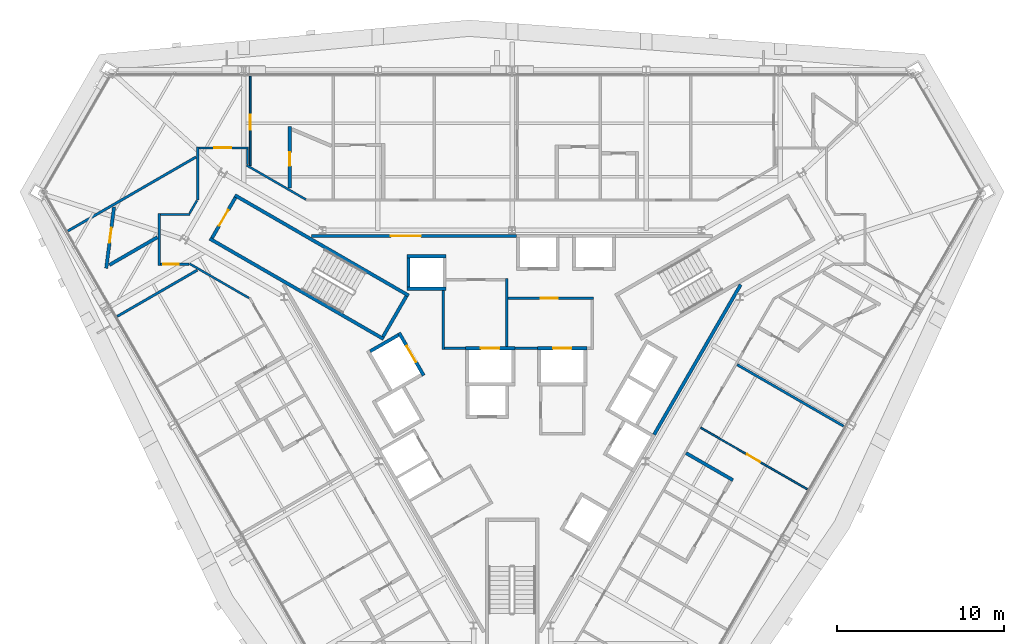
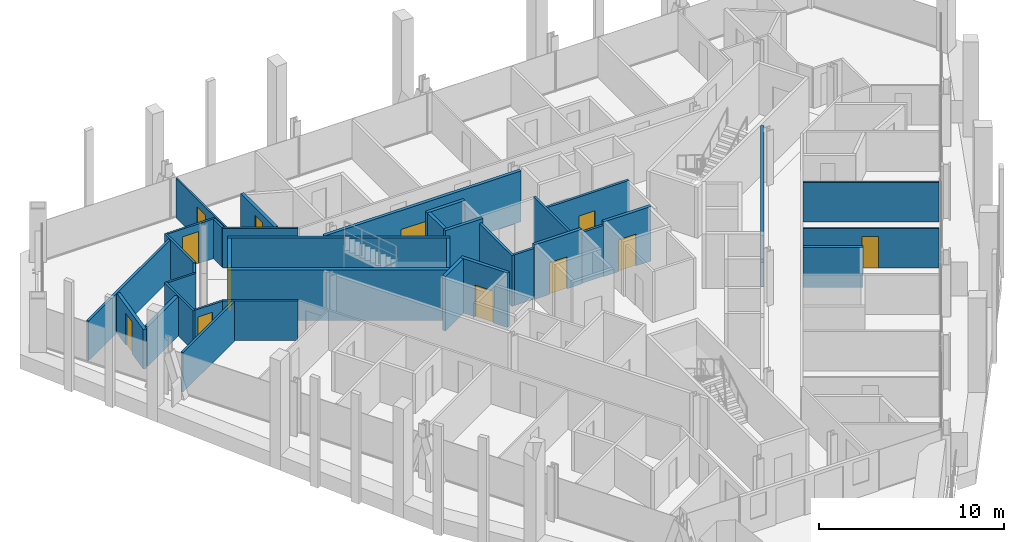
# One storey, part 12 of 16: 36 walls, 12 doors, 12 openings.
"""IFC4 building model written with IfcOpenShell, lengths in metres."""

from ifc_helpers import new_model, si_unit, direction, frame, frame_2d, origin, place, context, subcontext, project, spatial, rectangle, extrude, material, layer, layer_set, type_object, element, fill, save


model = new_model("IFC4")

# Units and contexts
model_context = context("Model", 3, precision=1e-05, world=origin(), true_north=direction((0.0, 1.0)))
body_context = subcontext(model_context, "Body", "Model", "MODEL_VIEW")
ifc_project = project(units=[si_unit("LENGTHUNIT", "METRE"), si_unit("AREAUNIT", "SQUARE_METRE"), si_unit("VOLUMEUNIT", "CUBIC_METRE"), si_unit("PLANEANGLEUNIT", "RADIAN"), si_unit("MASSUNIT", "GRAM", prefix="KILO")], contexts=[model_context])

# Site, building, storey
site_placement = place(None, origin())
site = spatial("IfcSite", under=ifc_project, at=site_placement, CompositionType="ELEMENT")
building_placement = place(site_placement, origin())
building = spatial("IfcBuilding", under=site, at=building_placement, Name="Verrane Prism Tower", CompositionType="ELEMENT")
storey_placement = place(building_placement, frame((0.0, 0.0, 114.39990234375)))
storey = spatial("IfcBuildingStorey", under=building, at=storey_placement, Name="L27", CompositionType="ELEMENT", Elevation=114.39990234375)

# Wall, opening, door
ifc_material_1 = material(Name="Gypsum board partition", Category="other")
ifc_layer_1 = layer(ifc_material_1, 0.199951171875)
ifc_layer_set_1 = layer_set([ifc_layer_1], Name="CW-200 core boundary wall 2 h")
wall_type_1 = type_object("IfcWallType", Name="CW-200 core boundary wall 2 h", PredefinedType="PARTITIONING", material=ifc_layer_set_1)
wall_1_placement = place(storey_placement, frame((0.262939453125, 8.860107421875, 0.0), z_axis=(0.0, 0.0, 1.0), x_axis=(-1.0, 0.0, 0.0)))
wall_1 = element("IfcWall", 1, at=wall_1_placement, inside=storey, type_object=wall_type_1, Name="Core boundary wall CW3-002", PredefinedType="PARTITIONING", context=body_context, shape_type="SweptSolid", body=[
    extrude(rectangle(XDim=12.25390625, YDim=0.199951171875, at=frame_2d((6.126953125, 0.0))), origin(), (0.0, 0.0, 1.0), 3.35009765625),
])
opening_1_placement = place(wall_1_placement, frame((5.708984375, 0.0, 0.0)))
opening_1 = element("IfcOpeningElement", 2, at=opening_1_placement, cuts=wall_1, Name="Opening D27511", PredefinedType="OPENING", context=body_context, shape_type="SweptSolid", body=[
    extrude(rectangle(XDim=1.800048828125, YDim=2.10009765625, at=frame_2d((0.89990234375, 1.050048828125))), frame((0.0, 0.10986328125, 0.0), z_axis=(0.0, -1.0, 0.0), x_axis=(1.0, 0.0, 0.0)), (0.0, 0.0, 1.0), 0.219970703125),
])
ifc_material_2 = material(Name="Timber veneered door leaf", Category="wood")
door_type_1 = type_object("IfcDoorType", Name="DR-1800x2100 FD60 double leaf lift lobby", OperationType="NOTDEFINED", PredefinedType="DOOR", material=ifc_material_2)
door_1_placement = place(opening_1_placement, origin())
door_1 = element("IfcDoor", 3, at=door_1_placement, inside=storey, type_object=door_type_1, Name="Lift lobby door D27511", OperationType="DOUBLE_DOOR_SINGLE_SWING", OverallHeight=2.10009765625, OverallWidth=1.800048828125, PredefinedType="DOOR", context=body_context, shape_type="SweptSolid", body=[
    extrude(rectangle(XDim=1.800048828125, YDim=2.10009765625, at=frame_2d((0.89990234375, 1.050048828125))), frame((0.0, 0.02490234375, 0.0), z_axis=(0.0, -1.0, 0.0), x_axis=(1.0, 0.0, 0.0)), (0.0, 0.0, 1.0), 0.050048828125),
])
fill(opening_1, door_1)

# Wall
wall_2_placement = place(storey_placement, frame((8.491943359375, -3.011962890625, 0.0), z_axis=(0.0, 0.0, 1.0), x_axis=(0.499972957231, 0.866041016371, 0.0)))
element("IfcWall", 4, at=wall_2_placement, inside=storey, type_object=wall_type_1, Name="Core boundary wall CW3-007", PredefinedType="PARTITIONING", context=body_context, shape_type="SweptSolid", body=[
    extrude(rectangle(XDim=10.3486328125, YDim=0.199951171875, at=frame_2d((5.17431640625, 0.0))), origin(), (0.0, 0.0, 1.0), 3.35009765625),
])

# Wall, opening, door
ifc_material_3 = material(Name="Concrete C40/50", Category="concrete")
ifc_layer_2 = layer(ifc_material_3, 0.199951171875)
ifc_layer_set_2 = layer_set([ifc_layer_2], Name="CW-200 stair core wall concrete C40/50 3 h")
wall_type_2 = type_object("IfcWallType", Name="CW-200 stair core wall concrete C40/50 3 h", PredefinedType="PARTITIONING", material=ifc_layer_set_2)
wall_3_placement = place(storey_placement, frame((-16.533935546875, 11.162353515625, 0.0), z_axis=(0.0, 0.0, 1.0), x_axis=(-0.49998411664, -0.866034573852, 0.0)))
wall_3 = element("IfcWall", 5, at=wall_3_placement, inside=storey, type_object=wall_type_2, Name="Stair 2 enclosure wall", PredefinedType="PARTITIONING", context=body_context, shape_type="SweptSolid", body=[
    extrude(rectangle(XDim=2.7998046875, YDim=0.199951171875, at=frame_2d((1.39990234375, 0.0))), origin(), (0.0, 0.0, 1.0), 3.35009765625),
])
opening_2_placement = place(wall_3_placement, frame((0.849853515625, 0.0, 0.0)))
opening_2 = element("IfcOpeningElement", 6, at=opening_2_placement, cuts=wall_3, Name="Opening D27501", PredefinedType="OPENING", context=body_context, shape_type="SweptSolid", body=[
    extrude(rectangle(XDim=1.10009765625, YDim=2.10009765625, at=frame_2d((0.550048828125, 1.050048828125))), frame((0.0, 0.10986328125, 0.0), z_axis=(0.0, -1.0, 0.0), x_axis=(1.0, 0.0, 0.0)), (0.0, 0.0, 1.0), 0.219970703125),
])
ifc_material_4 = material(Name="Timber veneered door leaf", Category="wood")
door_type_2 = type_object("IfcDoorType", Name="DR-1100x2100 FD90 single leaf stair", OperationType="NOTDEFINED", PredefinedType="DOOR", material=ifc_material_4)
door_2_placement = place(opening_2_placement, origin())
door_2 = element("IfcDoor", 7, at=door_2_placement, inside=storey, type_object=door_type_2, Name="Stair 2 door", OperationType="SINGLE_SWING_RIGHT", OverallHeight=2.10009765625, OverallWidth=1.10009765625, PredefinedType="DOOR", context=body_context, shape_type="SweptSolid", body=[
    extrude(rectangle(XDim=1.10009765625, YDim=2.10009765625, at=frame_2d((0.550048828125, 1.050048828125))), frame((0.0, 0.02490234375, 0.0), z_axis=(0.0, -1.0, 0.0), x_axis=(1.0, 0.0, 0.0)), (0.0, 0.0, 1.0), 0.050048828125),
])
fill(opening_2, door_2)

# Walls
for number, where, z_axis, x_axis, name in (
    (8, (-7.67822265625, 2.700927734375, 0.0), (0.0, 0.0, 1.0), (-0.866026010844, 0.49999894854, 0.0), "Stair 2 enclosure wall"),
    (9, (-6.17822265625, 5.299072265625, 0.0), (0.0, 0.0, 1.0), (-0.866026010844, 0.49999894854, 0.0), "Stair 2 enclosure wall"),
):
    element("IfcWall", number, at=place(storey_placement, frame(where, z_axis=z_axis, x_axis=x_axis)), inside=storey, type_object=wall_type_2, Name=name, PredefinedType="PARTITIONING", context=body_context, shape_type="SweptSolid", body=[
        extrude(rectangle(XDim=12.0, YDim=0.199951171875, at=frame_2d((6.0, 0.0))), origin(), (0.0, 0.0, 1.0), 3.35009765625),
    ])
wall_4_placement = place(storey_placement, frame((-6.314697265625, 5.262451171875, 0.0), z_axis=(0.0, 0.0, 1.0), x_axis=(-0.500049511043, -0.865996816683, 0.0)))
element("IfcWall", 10, at=wall_4_placement, inside=storey, type_object=wall_type_2, Name="Stair 2 enclosure wall", PredefinedType="PARTITIONING", context=body_context, shape_type="SweptSolid", body=[
    extrude(rectangle(XDim=2.800048828125, YDim=0.199951171875, at=frame_2d((1.39990234375, 0.0))), origin(), (0.0, 0.0, 1.0), 3.35009765625),
])

# Wall, opening, door
ifc_material_5 = material(Name="Gypsum board shaft wall assembly", Category="other")
ifc_layer_3 = layer(ifc_material_5, 0.199951171875)
ifc_layer_set_3 = layer_set([ifc_layer_3], Name="HW-200 lift shaft wall 2 h")
wall_type_3 = type_object("IfcWallType", Name="HW-200 lift shaft wall 2 h", PredefinedType="PARTITIONING", material=ifc_layer_set_3)
wall_5_placement = place(storey_placement, frame((-2.784912109375, 2.14990234375, 0.0), z_axis=(0.0, 0.0, 1.0), x_axis=(1.0, 0.0, 0.0)))
wall_5 = element("IfcWall", 11, at=wall_5_placement, inside=storey, type_object=wall_type_3, Name="Lift shaft wall", PredefinedType="PARTITIONING", context=body_context, shape_type="SweptSolid", body=[
    extrude(rectangle(XDim=2.949951171875, YDim=0.199951171875, at=frame_2d((1.47509765625, 0.0))), origin(), (0.0, 0.0, 1.0), 3.60009765625),
])
opening_3_placement = place(wall_5_placement, frame((0.925048828125, 0.0, 0.0)))
opening_3 = element("IfcOpeningElement", 12, at=opening_3_placement, cuts=wall_5, Name="Opening D27508", PredefinedType="OPENING", context=body_context, shape_type="SweptSolid", body=[
    extrude(rectangle(XDim=1.10009765625, YDim=2.10009765625, at=frame_2d((0.550048828125, 1.050048828125))), frame((0.0, 0.10986328125, 0.0), z_axis=(0.0, -1.0, 0.0), x_axis=(1.0, 0.0, 0.0)), (0.0, 0.0, 1.0), 0.219970703125),
])
ifc_material_6 = material(Name="Stainless steel sliding landing door", Category="steel")
door_type_3 = type_object("IfcDoorType", Name="LD-1100x2100 lift landing door FD90 sliding", OperationType="NOTDEFINED", PredefinedType="DOOR", material=ifc_material_6)
door_3_placement = place(opening_3_placement, origin())
door_3 = element("IfcDoor", 13, at=door_3_placement, inside=storey, type_object=door_type_3, Name="Fire service lift 1 landing door", OperationType="SLIDING_TO_LEFT", OverallHeight=2.10009765625, OverallWidth=1.10009765625, PredefinedType="DOOR", context=body_context, shape_type="SweptSolid", body=[
    extrude(rectangle(XDim=1.10009765625, YDim=2.10009765625, at=frame_2d((0.550048828125, 1.050048828125))), frame((0.0, 0.02490234375, 0.0), z_axis=(0.0, -1.0, 0.0), x_axis=(1.0, 0.0, 0.0)), (0.0, 0.0, 1.0), 0.050048828125),
])
fill(opening_3, door_3)

wall_6_placement = place(storey_placement, frame((1.52490234375, 2.14990234375, 0.0), z_axis=(0.0, 0.0, 1.0), x_axis=(1.0, 0.0, 0.0)))
wall_6 = element("IfcWall", 14, at=wall_6_placement, inside=storey, type_object=wall_type_3, Name="Lift shaft wall", PredefinedType="PARTITIONING", context=body_context, shape_type="SweptSolid", body=[
    extrude(rectangle(XDim=2.9501953125, YDim=0.199951171875, at=frame_2d((1.47509765625, 0.0))), origin(), (0.0, 0.0, 1.0), 3.60009765625),
])
opening_4_placement = place(wall_6_placement, frame((0.925048828125, 0.0, 0.0)))
opening_4 = element("IfcOpeningElement", 15, at=opening_4_placement, cuts=wall_6, Name="Opening D27509", PredefinedType="OPENING", context=body_context, shape_type="SweptSolid", body=[
    extrude(rectangle(XDim=1.10009765625, YDim=2.10009765625, at=frame_2d((0.550048828125, 1.050048828125))), frame((0.0, 0.10986328125, 0.0), z_axis=(0.0, -1.0, 0.0), x_axis=(1.0, 0.0, 0.0)), (0.0, 0.0, 1.0), 0.219970703125),
])
door_4_placement = place(opening_4_placement, origin())
door_4 = element("IfcDoor", 16, at=door_4_placement, inside=storey, type_object=door_type_3, Name="Fire service lift 2 landing door", OperationType="SLIDING_TO_RIGHT", OverallHeight=2.10009765625, OverallWidth=1.10009765625, PredefinedType="DOOR", context=body_context, shape_type="SweptSolid", body=[
    extrude(rectangle(XDim=1.10009765625, YDim=2.10009765625, at=frame_2d((0.550048828125, 1.050048828125))), frame((0.0, 0.02490234375, 0.0), z_axis=(0.0, -1.0, 0.0), x_axis=(1.0, 0.0, 0.0)), (0.0, 0.0, 1.0), 0.050048828125),
])
fill(opening_4, door_4)

# Walls
for number, where, z_axis, x_axis, name in (
    (17, (-6.284912109375, 5.7099609375, 0.0), (0.0, 0.0, 1.0), (1.0, 0.0, 0.0), "Lift shaft wall"),
    (18, (-6.284912109375, 7.659912109375, 0.0), (0.0, 0.0, 1.0), (1.0, 0.0, 0.0), "Lift shaft wall"),
):
    element("IfcWall", number, at=place(storey_placement, frame(where, z_axis=z_axis, x_axis=x_axis)), inside=storey, type_object=wall_type_3, Name=name, PredefinedType="PARTITIONING", context=body_context, shape_type="SweptSolid", body=[
        extrude(rectangle(XDim=2.349853515625, YDim=0.199951171875, at=frame_2d((1.1748046875, 0.0))), origin(), (0.0, 0.0, 1.0), 3.60009765625),
    ])
wall_7_placement = place(storey_placement, frame((-8.48046875, 1.968505859375, 0.0), z_axis=(0.0, 0.0, 1.0), x_axis=(0.866000020948, 0.500043961785, 0.0)))
element("IfcWall", 19, at=wall_7_placement, inside=storey, type_object=wall_type_3, Name="Lift shaft wall", PredefinedType="PARTITIONING", context=body_context, shape_type="SweptSolid", body=[
    extrude(rectangle(XDim=1.949951171875, YDim=0.199951171875, at=frame_2d((0.97509765625, 0.0))), origin(), (0.0, 0.0, 1.0), 3.60009765625),
])
wall_8_placement = place(storey_placement, frame((-6.18505859375, 5.81005859375, 0.0), z_axis=(0.0, 0.0, 1.0), x_axis=(0.0, 1.0, 0.0)))
element("IfcWall", 20, at=wall_8_placement, inside=storey, type_object=wall_type_3, Name="Lift shaft wall", PredefinedType="PARTITIONING", context=body_context, shape_type="SweptSolid", body=[
    extrude(rectangle(XDim=1.75, YDim=0.199951171875, at=frame_2d((0.875, 0.0))), origin(), (0.0, 0.0, 1.0), 3.60009765625),
])

# Wall, opening, door
wall_9_placement = place(storey_placement, frame((-5.280029296875, 0.525390625, 0.0), z_axis=(0.0, 0.0, 1.0), x_axis=(-0.500037662692, 0.866003658127, 0.0)))
wall_9 = element("IfcWall", 21, at=wall_9_placement, inside=storey, type_object=wall_type_3, Name="Lift shaft wall", PredefinedType="PARTITIONING", context=body_context, shape_type="SweptSolid", body=[
    extrude(rectangle(XDim=2.949951171875, YDim=0.199951171875, at=frame_2d((1.47509765625, 0.0))), origin(), (0.0, 0.0, 1.0), 3.60009765625),
])
opening_5_placement = place(wall_9_placement, frame((0.925048828125, 0.0, 0.0)))
opening_5 = element("IfcOpeningElement", 22, at=opening_5_placement, cuts=wall_9, Name="Opening D27510", PredefinedType="OPENING", context=body_context, shape_type="SweptSolid", body=[
    extrude(rectangle(XDim=1.10009765625, YDim=2.10009765625, at=frame_2d((0.550048828125, 1.050048828125))), frame((0.0, 0.10986328125, 0.0), z_axis=(0.0, -1.0, 0.0), x_axis=(1.0, 0.0, 0.0)), (0.0, 0.0, 1.0), 0.219970703125),
])
door_5_placement = place(opening_5_placement, origin())
door_5 = element("IfcDoor", 23, at=door_5_placement, inside=storey, type_object=door_type_3, Name="Service lift 1 landing door", OperationType="SLIDING_TO_LEFT", OverallHeight=2.10009765625, OverallWidth=1.10009765625, PredefinedType="DOOR", context=body_context, shape_type="SweptSolid", body=[
    extrude(rectangle(XDim=1.10009765625, YDim=2.10009765625, at=frame_2d((0.550048828125, 1.050048828125))), frame((0.0, 0.02490234375, 0.0), z_axis=(0.0, -1.0, 0.0), x_axis=(1.0, 0.0, 0.0)), (0.0, 0.0, 1.0), 0.050048828125),
])
fill(opening_5, door_5)

# Walls
ifc_material_7 = material(Name="Gypsum board partition", Category="other")
ifc_layer_4 = layer(ifc_material_7, 0.14990234375)
ifc_layer_set_4 = layer_set([ifc_layer_4], Name="LF-150 firefighting lobby wall 1 h")
wall_type_4 = type_object("IfcWallType", Name="LF-150 firefighting lobby wall 1 h", PredefinedType="PARTITIONING", material=ifc_layer_set_4)
wall_10_placement = place(storey_placement, frame((-4.10009765625, 2.0849609375, 0.0), z_axis=(0.0, 0.0, 1.0), x_axis=(0.0, 1.0, 0.0)))
element("IfcWall", 24, at=wall_10_placement, inside=storey, type_object=wall_type_4, Name="Firefighting lobby wall LF1-001", PredefinedType="PARTITIONING", context=body_context, shape_type="SweptSolid", body=[
    extrude(rectangle(XDim=3.52294921875, YDim=0.14990234375, at=frame_2d((1.761474609375, 0.0))), origin(), (0.0, 0.0, 1.0), 3.35009765625),
])
wall_11_placement = place(storey_placement, frame((-4.02490234375, 2.159912109375, 0.0), z_axis=(0.0, 0.0, 1.0), x_axis=(1.0, 0.0, 0.0)))
element("IfcWall", 25, at=wall_11_placement, inside=storey, type_object=wall_type_4, Name="Firefighting lobby wall LF1-002", PredefinedType="PARTITIONING", context=body_context, shape_type="SweptSolid", body=[
    extrude(rectangle(XDim=1.23779296875, YDim=0.14990234375, at=frame_2d((0.618896484375, 0.0))), origin(), (0.0, 0.0, 1.0), 3.35009765625),
])
wall_12_placement = place(storey_placement, frame((-0.320068359375, 2.251953125, 0.0), z_axis=(0.0, 0.0, 1.0), x_axis=(0.0, 1.0, 0.0)))
element("IfcWall", 26, at=wall_12_placement, inside=storey, type_object=wall_type_4, Name="Firefighting lobby wall LF1-004", PredefinedType="PARTITIONING", context=body_context, shape_type="SweptSolid", body=[
    extrude(rectangle(XDim=4.06298828125, YDim=0.14990234375, at=frame_2d((2.031494140625, 0.0))), origin(), (0.0, 0.0, 1.0), 3.35009765625),
])

# Wall, opening, door
wall_13_placement = place(storey_placement, frame((-0.2451171875, 5.139892578125, 0.0), z_axis=(0.0, 0.0, 1.0), x_axis=(1.0, 0.0, 0.0)))
wall_13 = element("IfcWall", 27, at=wall_13_placement, inside=storey, type_object=wall_type_4, Name="Firefighting lobby wall LF1-005", PredefinedType="PARTITIONING", context=body_context, shape_type="SweptSolid", body=[
    extrude(rectangle(XDim=5.110107421875, YDim=0.14990234375, at=frame_2d((2.55517578125, 0.0))), origin(), (0.0, 0.0, 1.0), 3.35009765625),
])
opening_6_placement = place(wall_13_placement, frame((1.97509765625, 0.0, 0.0)))
opening_6 = element("IfcOpeningElement", 28, at=opening_6_placement, cuts=wall_13, Name="Opening D27516", PredefinedType="OPENING", context=body_context, shape_type="SweptSolid", body=[
    extrude(rectangle(XDim=1.0, YDim=2.10009765625, at=frame_2d((0.5, 1.050048828125))), frame((0.0, 0.0849609375, 0.0), z_axis=(0.0, -1.0, 0.0), x_axis=(1.0, 0.0, 0.0)), (0.0, 0.0, 1.0), 0.169921875),
])
ifc_material_8 = material(Name="Timber veneered door leaf", Category="wood")
door_type_4 = type_object("IfcDoorType", Name="DR-1000x2100 FD60 single leaf firefighting lobby", OperationType="NOTDEFINED", PredefinedType="DOOR", material=ifc_material_8)
door_6_placement = place(opening_6_placement, origin())
door_6 = element("IfcDoor", 29, at=door_6_placement, inside=storey, type_object=door_type_4, Name="Firefighting lobby door D27516", OperationType="SINGLE_SWING_RIGHT", OverallHeight=2.10009765625, OverallWidth=1.0, PredefinedType="DOOR", context=body_context, shape_type="SweptSolid", body=[
    extrude(rectangle(XDim=1.0, YDim=2.10009765625, at=frame_2d((0.5, 1.050048828125))), frame((0.0, 0.02490234375, 0.0), z_axis=(0.0, -1.0, 0.0), x_axis=(1.0, 0.0, 0.0)), (0.0, 0.0, 1.0), 0.050048828125),
])
fill(opening_6, door_6)

# Wall
wall_14_placement = place(storey_placement, frame((0.1669921875, 2.159912109375, 0.0), z_axis=(0.0, 0.0, 1.0), x_axis=(1.0, 0.0, 0.0)))
element("IfcWall", 30, at=wall_14_placement, inside=storey, type_object=wall_type_4, Name="Firefighting lobby wall LF1-006", PredefinedType="PARTITIONING", context=body_context, shape_type="SweptSolid", body=[
    extrude(rectangle(XDim=1.35595703125, YDim=0.14990234375, at=frame_2d((0.677978515625, 0.0))), origin(), (0.0, 0.0, 1.0), 3.35009765625),
])

# Wall, opening, door
ifc_material_9 = material(Name="Gypsum board partition", Category="other")
ifc_layer_5 = layer(ifc_material_9, 0.10009765625)
ifc_layer_set_5 = layer_set([ifc_layer_5], Name="PW-100 room partition")
wall_type_5 = type_object("IfcWallType", Name="PW-100 room partition", PredefinedType="PARTITIONING", material=ifc_layer_set_5)
wall_15_placement = place(storey_placement, frame((-15.65087890625, 18.4150390625, 0.0), z_axis=(0.0, 0.0, 1.0), x_axis=(0.0, -1.0, 0.0)))
wall_15 = element("IfcWall", 31, at=wall_15_placement, inside=storey, type_object=wall_type_5, Name="Room partition 020", PredefinedType="PARTITIONING", context=body_context, shape_type="SweptSolid", body=[
    extrude(rectangle(XDim=5.35205078125, YDim=0.10009765625, at=frame_2d((2.676025390625, 0.0))), origin(), (0.0, 0.0, 1.0), 2.613037109375),
])
opening_7_placement = place(wall_15_placement, frame((2.302978515625, 0.0, 0.0)))
opening_7 = element("IfcOpeningElement", 32, at=opening_7_placement, cuts=wall_15, Name="Opening D27012", PredefinedType="OPENING", context=body_context, shape_type="SweptSolid", body=[
    extrude(rectangle(XDim=0.89990234375, YDim=2.10009765625, at=frame_2d((0.449951171875, 1.050048828125))), frame((0.0, 0.06005859375, 0.0), z_axis=(0.0, -1.0, 0.0), x_axis=(1.0, 0.0, 0.0)), (0.0, 0.0, 1.0), 0.1201171875),
])
ifc_material_10 = material(Name="Timber veneered door leaf", Category="wood")
door_type_5 = type_object("IfcDoorType", Name="DR-900x2100 single leaf inner", OperationType="NOTDEFINED", PredefinedType="DOOR", material=ifc_material_10)
door_7_placement = place(opening_7_placement, origin())
door_7 = element("IfcDoor", 33, at=door_7_placement, inside=storey, type_object=door_type_5, Name="Suite Living Room door", OperationType="SINGLE_SWING_LEFT", OverallHeight=2.10009765625, OverallWidth=0.89990234375, PredefinedType="DOOR", context=body_context, shape_type="SweptSolid", body=[
    extrude(rectangle(XDim=0.89990234375, YDim=2.10009765625, at=frame_2d((0.449951171875, 1.050048828125))), frame((0.0, 0.02490234375, 0.0), z_axis=(0.0, -1.0, 0.0), x_axis=(1.0, 0.0, 0.0)), (0.0, 0.0, 1.0), 0.050048828125),
])
fill(opening_7, door_7)

wall_16_placement = place(storey_placement, frame((17.6416015625, -6.27392578125, 0.0), z_axis=(0.0, 0.0, 1.0), x_axis=(-0.866003534372, 0.50003787702, 0.0)))
wall_16 = element("IfcWall", 34, at=wall_16_placement, inside=storey, type_object=wall_type_5, Name="Room partition 056", PredefinedType="PARTITIONING", context=body_context, shape_type="SweptSolid", body=[
    extrude(rectangle(XDim=7.34765625, YDim=0.10009765625, at=frame_2d((3.673828125, 0.0))), origin(), (0.0, 0.0, 1.0), 2.613037109375),
])
opening_8_placement = place(wall_16_placement, frame((3.26513671875, 0.0, 0.0)))
opening_8 = element("IfcOpeningElement", 35, at=opening_8_placement, cuts=wall_16, Name="Opening D27033", PredefinedType="OPENING", context=body_context, shape_type="SweptSolid", body=[
    extrude(rectangle(XDim=0.89990234375, YDim=2.10009765625, at=frame_2d((0.449951171875, 1.050048828125))), frame((0.0, 0.06005859375, 0.0), z_axis=(0.0, -1.0, 0.0), x_axis=(1.0, 0.0, 0.0)), (0.0, 0.0, 1.0), 0.1201171875),
])
door_8_placement = place(opening_8_placement, origin())
door_8 = element("IfcDoor", 36, at=door_8_placement, inside=storey, type_object=door_type_5, Name="Suite Living Room door", OperationType="SINGLE_SWING_RIGHT", OverallHeight=2.10009765625, OverallWidth=0.89990234375, PredefinedType="DOOR", context=body_context, shape_type="SweptSolid", body=[
    extrude(rectangle(XDim=0.89990234375, YDim=2.10009765625, at=frame_2d((0.449951171875, 1.050048828125))), frame((0.0, 0.02490234375, 0.0), z_axis=(0.0, -1.0, 0.0), x_axis=(1.0, 0.0, 0.0)), (0.0, 0.0, 1.0), 0.050048828125),
])
fill(opening_8, door_8)

# Wall
ifc_material_11 = material(Name="Gypsum board partition", Category="other")
ifc_layer_6 = layer(ifc_material_11, 0.125)
ifc_layer_set_6 = layer_set([ifc_layer_6], Name="PW-125 corridor wall 1 h")
wall_type_6 = type_object("IfcWallType", Name="PW-125 corridor wall 1 h", PredefinedType="PARTITIONING", material=ifc_layer_set_6)
wall_17_placement = place(storey_placement, frame((-21.0869140625, 7.110595703125, 0.0), z_axis=(0.0, 0.0, 1.0), x_axis=(0.0, 1.0, 0.0)))
element("IfcWall", 37, at=wall_17_placement, inside=storey, type_object=wall_type_6, Name="Corridor wall 006", PredefinedType="PARTITIONING", context=body_context, shape_type="SweptSolid", body=[
    extrude(rectangle(XDim=3.098876953125, YDim=0.125, at=frame_2d((1.54931640625, 0.0))), origin(), (0.0, 0.0, 1.0), 2.613037109375),
])

# Wall, opening, door
wall_18_placement = place(storey_placement, frame((-19.30908203125, 7.173095703125, 0.0), z_axis=(0.0, 0.0, 1.0), x_axis=(-1.0, 0.0, 0.0)))
wall_18 = element("IfcWall", 38, at=wall_18_placement, inside=storey, type_object=wall_type_6, Name="Corridor wall 007", PredefinedType="PARTITIONING", context=body_context, shape_type="SweptSolid", body=[
    extrude(rectangle(XDim=1.712890625, YDim=0.125, at=frame_2d((0.8564453125, 0.0))), origin(), (0.0, 0.0, 1.0), 2.613037109375),
])
opening_9_placement = place(wall_18_placement, frame((0.6279296875, 0.0, 0.0)))
opening_9 = element("IfcOpeningElement", 39, at=opening_9_placement, cuts=wall_18, Name="Opening D27014", PredefinedType="OPENING", context=body_context, shape_type="SweptSolid", body=[
    extrude(rectangle(XDim=0.89990234375, YDim=2.10009765625, at=frame_2d((0.449951171875, 1.050048828125))), frame((0.0, 0.072509765625, 0.0), z_axis=(0.0, -1.0, 0.0), x_axis=(1.0, 0.0, 0.0)), (0.0, 0.0, 1.0), 0.14501953125),
])
ifc_material_12 = material(Name="Timber veneered door leaf", Category="wood")
door_type_6 = type_object("IfcDoorType", Name="DR-900x2100 FD20 single leaf unit", OperationType="NOTDEFINED", PredefinedType="DOOR", material=ifc_material_12)
door_9_placement = place(opening_9_placement, origin())
door_9 = element("IfcDoor", 40, at=door_9_placement, inside=storey, type_object=door_type_6, Name="Accessible Guest Room door", OperationType="SINGLE_SWING_RIGHT", OverallHeight=2.10009765625, OverallWidth=0.89990234375, PredefinedType="DOOR", context=body_context, shape_type="SweptSolid", body=[
    extrude(rectangle(XDim=0.89990234375, YDim=2.10009765625, at=frame_2d((0.449951171875, 1.050048828125))), frame((0.0, 0.02490234375, 0.0), z_axis=(0.0, -1.0, 0.0), x_axis=(1.0, 0.0, 0.0)), (0.0, 0.0, 1.0), 0.050048828125),
])
fill(opening_9, door_9)

# Walls
wall_19_placement = place(storey_placement, frame((-21.02197265625, 10.14697265625, 0.0), z_axis=(0.0, 0.0, 1.0), x_axis=(1.0, 0.0, 0.0)))
element("IfcWall", 41, at=wall_19_placement, inside=storey, type_object=wall_type_6, Name="Corridor wall 008", PredefinedType="PARTITIONING", context=body_context, shape_type="SweptSolid", body=[
    extrude(rectangle(XDim=1.7705078125, YDim=0.125, at=frame_2d((0.88525390625, 0.0))), origin(), (0.0, 0.0, 1.0), 2.613037109375),
])
wall_20_placement = place(storey_placement, frame((-19.271484375, 10.220703125, 0.0), z_axis=(0.0, 0.0, 1.0), x_axis=(0.499881837328, 0.866093614288, 0.0)))
element("IfcWall", 42, at=wall_20_placement, inside=storey, type_object=wall_type_6, Name="Corridor wall 009", PredefinedType="PARTITIONING", context=body_context, shape_type="SweptSolid", body=[
    extrude(rectangle(XDim=0.884033203125, YDim=0.125, at=frame_2d((0.44189453125, 0.0))), origin(), (0.0, 0.0, 1.0), 2.613037109375),
])
wall_21_placement = place(storey_placement, frame((-19.278076171875, 7.204345703125, 0.0), z_axis=(0.0, 0.0, 1.0), x_axis=(0.865992261418, -0.50005739987, 0.0)))
element("IfcWall", 43, at=wall_21_placement, inside=storey, type_object=wall_type_6, Name="Corridor wall 010", PredefinedType="PARTITIONING", context=body_context, shape_type="SweptSolid", body=[
    extrude(rectangle(XDim=4.10107421875, YDim=0.125, at=frame_2d((2.050537109375, 0.0))), origin(), (0.0, 0.0, 1.0), 2.613037109375),
])
wall_22_placement = place(storey_placement, frame((-18.787109375, 10.99755859375, 0.0), z_axis=(0.0, 0.0, 1.0), x_axis=(0.0, 1.0, 0.0)))
element("IfcWall", 44, at=wall_22_placement, inside=storey, type_object=wall_type_6, Name="Corridor wall 011", PredefinedType="PARTITIONING", context=body_context, shape_type="SweptSolid", body=[
    extrude(rectangle(XDim=3.19189453125, YDim=0.125, at=frame_2d((1.595947265625, 0.0))), origin(), (0.0, 0.0, 1.0), 2.613037109375),
])

# Wall, opening, door
wall_23_placement = place(storey_placement, frame((-18.721923828125, 14.126953125, 0.0), z_axis=(0.0, 0.0, 1.0), x_axis=(1.0, 0.0, 0.0)))
wall_23 = element("IfcWall", 45, at=wall_23_placement, inside=storey, type_object=wall_type_6, Name="Corridor wall 012", PredefinedType="PARTITIONING", context=body_context, shape_type="SweptSolid", body=[
    extrude(rectangle(XDim=2.971435546875, YDim=0.125, at=frame_2d((1.48583984375, 0.0))), origin(), (0.0, 0.0, 1.0), 2.613037109375),
])
opening_10_placement = place(wall_23_placement, frame((0.93505859375, 0.0, 0.0)))
opening_10 = element("IfcOpeningElement", 46, at=opening_10_placement, cuts=wall_23, Name="Opening D27011", PredefinedType="OPENING", context=body_context, shape_type="SweptSolid", body=[
    extrude(rectangle(XDim=1.0, YDim=2.10009765625, at=frame_2d((0.5, 1.050048828125))), frame((0.0, 0.072509765625, 0.0), z_axis=(0.0, -1.0, 0.0), x_axis=(1.0, 0.0, 0.0)), (0.0, 0.0, 1.0), 0.14501953125),
])
ifc_material_13 = material(Name="Timber veneered door leaf", Category="wood")
door_type_7 = type_object("IfcDoorType", Name="DR-1000x2100 FD20 single leaf unit", OperationType="NOTDEFINED", PredefinedType="DOOR", material=ifc_material_13)
door_10_placement = place(opening_10_placement, origin())
door_10 = element("IfcDoor", 47, at=door_10_placement, inside=storey, type_object=door_type_7, Name="Suite Living Room door", OperationType="SINGLE_SWING_LEFT", OverallHeight=2.10009765625, OverallWidth=1.0, PredefinedType="DOOR", context=body_context, shape_type="SweptSolid", body=[
    extrude(rectangle(XDim=1.0, YDim=2.10009765625, at=frame_2d((0.5, 1.050048828125))), frame((0.0, 0.02490234375, 0.0), z_axis=(0.0, -1.0, 0.0), x_axis=(1.0, 0.0, 0.0)), (0.0, 0.0, 1.0), 0.050048828125),
])
fill(opening_10, door_10)

# Walls
wall_24_placement = place(storey_placement, frame((-15.81298828125, 13.139892578125, 0.0), z_axis=(0.0, 0.0, 1.0), x_axis=(0.0, 1.0, 0.0)))
element("IfcWall", 48, at=wall_24_placement, inside=storey, type_object=wall_type_6, Name="Corridor wall 017", PredefinedType="PARTITIONING", context=body_context, shape_type="SweptSolid", body=[
    extrude(rectangle(XDim=0.922119140625, YDim=0.125, at=frame_2d((0.4609375, 0.0))), origin(), (0.0, 0.0, 1.0), 2.613037109375),
])
wall_25_placement = place(storey_placement, frame((-15.8671875, 13.086181640625, 0.0), z_axis=(0.0, 0.0, 1.0), x_axis=(0.866070231021, -0.499922348909, 0.0)))
element("IfcWall", 49, at=wall_25_placement, inside=storey, type_object=wall_type_6, Name="Corridor wall 018", PredefinedType="PARTITIONING", context=body_context, shape_type="SweptSolid", body=[
    extrude(rectangle(XDim=4.088134765625, YDim=0.125, at=frame_2d((2.0439453125, 0.0))), origin(), (0.0, 0.0, 1.0), 2.613037109375),
])
ifc_material_14 = material(Name="Gypsum board partition", Category="other")
ifc_layer_7 = layer(ifc_material_14, 0.14990234375)
ifc_layer_set_7 = layer_set([ifc_layer_7], Name="PW-150 demising wall 1 h")
wall_type_7 = type_object("IfcWallType", Name="PW-150 demising wall 1 h", PredefinedType="PARTITIONING", material=ifc_layer_set_7)
wall_26_placement = place(storey_placement, frame((-26.5517578125, 9.158935546875, 0.0), z_axis=(0.0, 0.0, 1.0), x_axis=(0.866024349092, 0.500001826776, 0.0)))
element("IfcWall", 50, at=wall_26_placement, inside=storey, type_object=wall_type_7, Name="Demising wall 001", PredefinedType="PARTITIONING", context=body_context, shape_type="SweptSolid", body=[
    extrude(rectangle(XDim=8.8505859375, YDim=0.14990234375, at=frame_2d((4.42529296875, 0.0))), origin(), (0.0, 0.0, 1.0), 2.613037109375),
])
wall_27_placement = place(storey_placement, frame((-23.603759765625, 4.052978515625, 0.0), z_axis=(0.0, 0.0, 1.0), x_axis=(0.865961466541, 0.500110726206, 0.0)))
element("IfcWall", 51, at=wall_27_placement, inside=storey, type_object=wall_type_7, Name="Demising wall 004", PredefinedType="PARTITIONING", context=body_context, shape_type="SweptSolid", body=[
    extrude(rectangle(XDim=5.533447265625, YDim=0.14990234375, at=frame_2d((2.7666015625, 0.0))), origin(), (0.0, 0.0, 1.0), 2.613037109375),
])
wall_28_placement = place(storey_placement, frame((13.454345703125, 1.169189453125, 0.0), z_axis=(0.0, 0.0, 1.0), x_axis=(0.866011842101, -0.500023488788, 0.0)))
element("IfcWall", 52, at=wall_28_placement, inside=storey, type_object=wall_type_7, Name="Demising wall 059", PredefinedType="PARTITIONING", context=body_context, shape_type="SweptSolid", body=[
    extrude(rectangle(XDim=7.347900390625, YDim=0.14990234375, at=frame_2d((3.673828125, 0.0))), origin(), (0.0, 0.0, 1.0), 2.613037109375),
])

# Wall, opening, door
ifc_material_15 = material(Name="Gypsum board partition", Category="other")
ifc_layer_8 = layer(ifc_material_15, 0.199951171875)
ifc_layer_set_8 = layer_set([ifc_layer_8], Name="PW-200 plumbing wall")
wall_type_8 = type_object("IfcWallType", Name="PW-200 plumbing wall", PredefinedType="PARTITIONING", material=ifc_layer_set_8)
wall_29_placement = place(storey_placement, frame((-23.790283203125, 10.59619140625, 0.0), z_axis=(0.0, 0.0, 1.0), x_axis=(-0.125611452306, -0.992079514479, 0.0)))
wall_29 = element("IfcWall", 53, at=wall_29_placement, inside=storey, type_object=wall_type_8, Name="Plumbing wall 002", PredefinedType="PARTITIONING", context=body_context, shape_type="SweptSolid", body=[
    extrude(rectangle(XDim=3.69677734375, YDim=0.199951171875, at=frame_2d((1.848388671875, 0.0))), origin(), (0.0, 0.0, 1.0), 2.613037109375),
])
opening_11_placement = place(wall_29_placement, frame((1.24658203125, 0.0, 0.0)))
opening_11 = element("IfcOpeningElement", 54, at=opening_11_placement, cuts=wall_29, Name="Opening D27015", PredefinedType="OPENING", context=body_context, shape_type="SweptSolid", body=[
    extrude(rectangle(XDim=0.89990234375, YDim=2.10009765625, at=frame_2d((0.449951171875, 1.050048828125))), frame((0.0, 0.10986328125, 0.0), z_axis=(0.0, -1.0, 0.0), x_axis=(1.0, 0.0, 0.0)), (0.0, 0.0, 1.0), 0.219970703125),
])
ifc_material_16 = material(Name="Timber veneered door leaf", Category="wood")
door_type_8 = type_object("IfcDoorType", Name="DR-900x2100 single leaf bath", OperationType="NOTDEFINED", PredefinedType="DOOR", material=ifc_material_16)
door_11_placement = place(opening_11_placement, origin())
door_11 = element("IfcDoor", 55, at=door_11_placement, inside=storey, type_object=door_type_8, Name="En-Suite door", OperationType="SINGLE_SWING_RIGHT", OverallHeight=2.10009765625, OverallWidth=0.89990234375, PredefinedType="DOOR", context=body_context, shape_type="SweptSolid", body=[
    extrude(rectangle(XDim=0.89990234375, YDim=2.10009765625, at=frame_2d((0.449951171875, 1.050048828125))), frame((0.0, 0.02490234375, 0.0), z_axis=(0.0, -1.0, 0.0), x_axis=(1.0, 0.0, 0.0)), (0.0, 0.0, 1.0), 0.050048828125),
])
fill(opening_11, door_11)

# Wall
wall_30_placement = place(storey_placement, frame((-24.06884765625, 7.1279296875, 0.0), z_axis=(0.0, 0.0, 1.0), x_axis=(0.865980660237, 0.50007749009, 0.0)))
element("IfcWall", 56, at=wall_30_placement, inside=storey, type_object=wall_type_8, Name="Plumbing wall 003", PredefinedType="PARTITIONING", context=body_context, shape_type="SweptSolid", body=[
    extrude(rectangle(XDim=3.3134765625, YDim=0.199951171875, at=frame_2d((1.65673828125, 0.0))), origin(), (0.0, 0.0, 1.0), 2.613037109375),
])

# Wall, opening, door
wall_31_placement = place(storey_placement, frame((-13.294921875, 15.39697265625, 0.0), z_axis=(0.0, 0.0, 1.0), x_axis=(0.0, -1.0, 0.0)))
wall_31 = element("IfcWall", 57, at=wall_31_placement, inside=storey, type_object=wall_type_8, Name="Plumbing wall 024", PredefinedType="PARTITIONING", context=body_context, shape_type="SweptSolid", body=[
    extrude(rectangle(XDim=3.6650390625, YDim=0.199951171875, at=frame_2d((1.83251953125, 0.0))), origin(), (0.0, 0.0, 1.0), 2.613037109375),
])
opening_12_placement = place(wall_31_placement, frame((1.544921875, 0.0, 0.0)))
opening_12 = element("IfcOpeningElement", 58, at=opening_12_placement, cuts=wall_31, Name="Opening D27013", PredefinedType="OPENING", context=body_context, shape_type="SweptSolid", body=[
    extrude(rectangle(XDim=0.800048828125, YDim=2.10009765625, at=frame_2d((0.39990234375, 1.050048828125))), frame((0.0, 0.10986328125, 0.0), z_axis=(0.0, -1.0, 0.0), x_axis=(1.0, 0.0, 0.0)), (0.0, 0.0, 1.0), 0.219970703125),
])
ifc_material_17 = material(Name="Timber veneered door leaf", Category="wood")
door_type_9 = type_object("IfcDoorType", Name="DR-800x2100 single leaf bath", OperationType="NOTDEFINED", PredefinedType="DOOR", material=ifc_material_17)
door_12_placement = place(opening_12_placement, origin())
door_12 = element("IfcDoor", 59, at=door_12_placement, inside=storey, type_object=door_type_9, Name="En-Suite door", OperationType="SINGLE_SWING_RIGHT", OverallHeight=2.10009765625, OverallWidth=0.800048828125, PredefinedType="DOOR", context=body_context, shape_type="SweptSolid", body=[
    extrude(rectangle(XDim=0.800048828125, YDim=2.10009765625, at=frame_2d((0.39990234375, 1.050048828125))), frame((0.0, 0.02490234375, 0.0), z_axis=(0.0, -1.0, 0.0), x_axis=(1.0, 0.0, 0.0)), (0.0, 0.0, 1.0), 0.050048828125),
])
fill(opening_12, door_12)

# Wall
wall_32_placement = place(storey_placement, frame((10.402587890625, -4.11669921875, 0.0), z_axis=(0.0, 0.0, 1.0), x_axis=(0.866078705744, -0.499907666931, 0.0)))
element("IfcWall", 60, at=wall_32_placement, inside=storey, type_object=wall_type_8, Name="Plumbing wall 053", PredefinedType="PARTITIONING", context=body_context, shape_type="SweptSolid", body=[
    extrude(rectangle(XDim=3.23291015625, YDim=0.199951171875, at=frame_2d((1.616455078125, 0.0))), origin(), (0.0, 0.0, 1.0), 2.613037109375),
])

save(model, "model.ifc")
